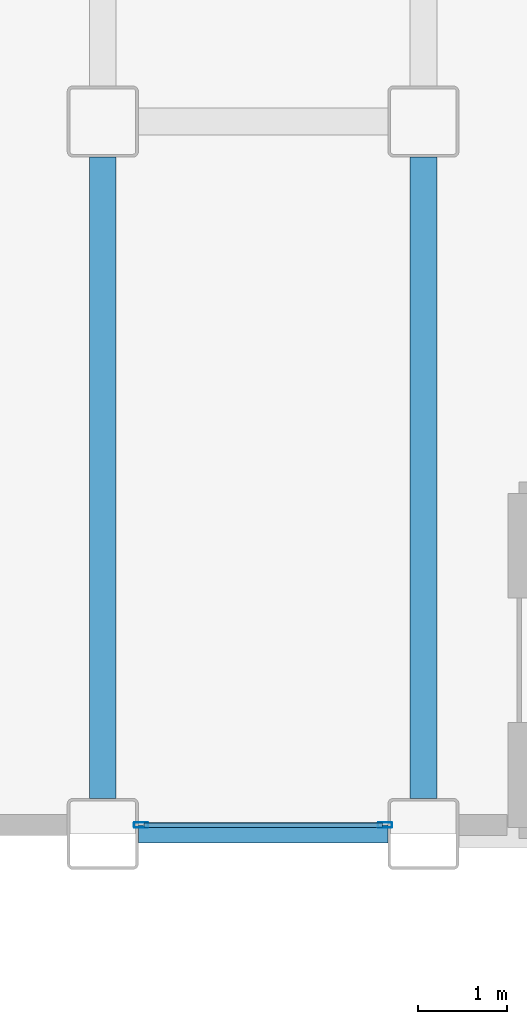
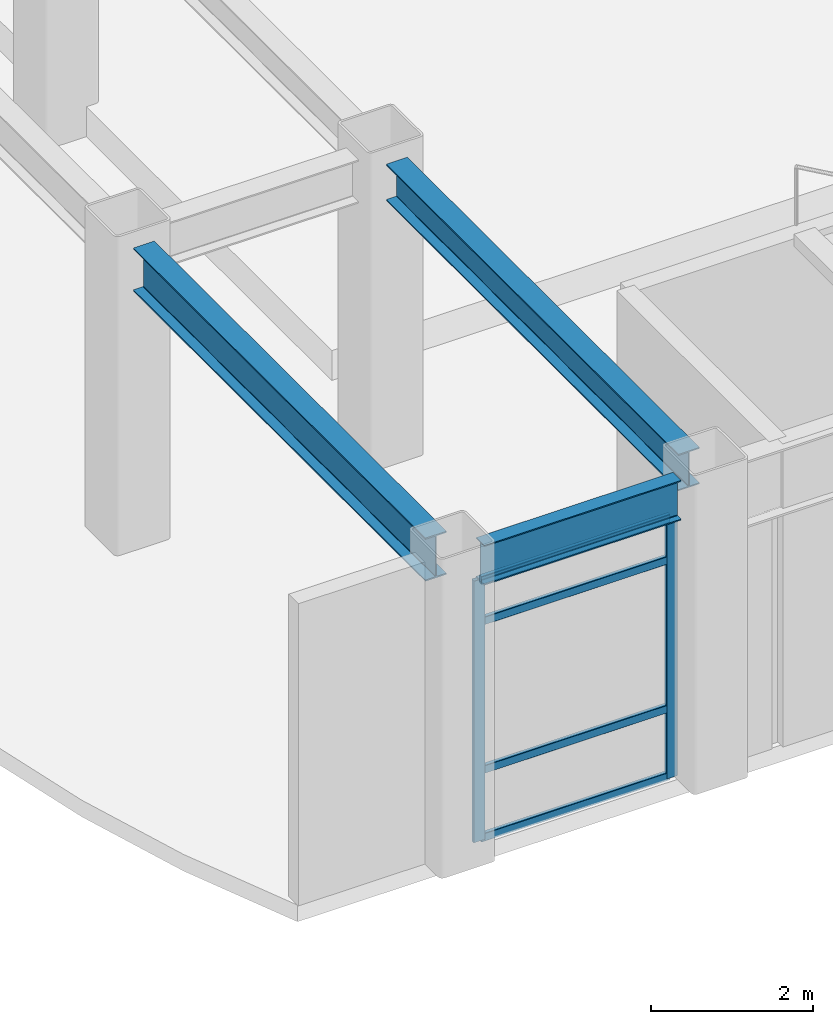
# One storey, part 23 of 154: 6 members, 3 beams, 1 element without a shape of its own.
"""IFC4 building model written with IfcOpenShell, lengths in metres."""

from ifc_helpers import new_model, si_unit, direction, frame, origin, origin_2d, place, context, subcontext, project, spatial, hollow_rectangle, i_section, extrude, material, layer, layer_set, material_profile, profile_set, type_object, element, aggregate, save


model = new_model("IFC4")

# Units and contexts
model_context = context("Model", 3, precision=1e-05, world=origin(), true_north=direction((0.0, 1.0)))
body_context = subcontext(model_context, "Body", "Model", "MODEL_VIEW")
ifc_project = project(units=[si_unit("LENGTHUNIT", "METRE"), si_unit("AREAUNIT", "SQUARE_METRE"), si_unit("VOLUMEUNIT", "CUBIC_METRE"), si_unit("PLANEANGLEUNIT", "RADIAN"), si_unit("MASSUNIT", "GRAM", prefix="KILO")], contexts=[model_context])

# Site, building, storey
site_placement = place(None, origin())
site = spatial("IfcSite", under=ifc_project, at=site_placement, CompositionType="ELEMENT")
building_placement = place(site_placement, origin())
building = spatial("IfcBuilding", under=site, at=building_placement, Name="Kazehara Bluff Congress Hotel", CompositionType="ELEMENT")
storey_placement = place(building_placement, frame((0.0, 0.0, 10.199951171875)))
storey = spatial("IfcBuildingStorey", under=building, at=storey_placement, Name="L02", CompositionType="ELEMENT", Elevation=10.199951171875)

# Curtain wall, members
ifc_material_1 = material(Name="Anodised aluminium", Category="aluminium")
ifc_layer = layer(ifc_material_1, 0.159912109375)
ifc_layer_set = layer_set([ifc_layer], Name="Anodised aluminium")
curtain_wall_type = type_object("IfcCurtainWallType", Name="TP-CW-126", PredefinedType="NOTDEFINED", material=ifc_layer_set)
curtain_wall_placement = place(storey_placement, origin())
curtain_wall = element("IfcCurtainWall", 1, at=curtain_wall_placement, inside=storey, type_object=curtain_wall_type, Name="L02 curtain wall CW-126 CW-ENC-V1-L02-660-4855", PredefinedType="NOTDEFINED")
ifc_material_2 = material(Name="Anodised aluminium", Category="aluminium")
ifc_material_profile_1 = material_profile(ifc_material_2, hollow_rectangle(XDim=0.06005859375, YDim=0.159912109375, WallThickness=0.00390625, InnerFilletRadius=0.00390625, OuterFilletRadius=0.008056640625, at=origin_2d()))
ifc_profile_set_1 = profile_set([ifc_material_profile_1], Name="Anodised aluminium")
member_type_1 = type_object("IfcMemberType", Name="TP-CWM-01", PredefinedType="MULLION", material=ifc_profile_set_1)
member_1_placement = place(storey_placement, frame((7.969970703125, 48.550048828125, 0.0), z_axis=(0.0, 0.0, 1.0), x_axis=(0.0, -1.0, 0.0)))
member_1 = element("IfcMember", 2, at=member_1_placement, type_object=member_type_1, Name="CW-126 mullion 1", PredefinedType="MULLION", context=body_context, shape_type="SweptSolid", body=[
    extrude(hollow_rectangle(XDim=0.06005859375, YDim=0.159912109375, WallThickness=0.00390625, InnerFilletRadius=0.00390625, OuterFilletRadius=0.008056640625, at=origin_2d()), origin(), (0.0, 0.0, 1.0), 3.93505859375),
])
member_2_placement = place(storey_placement, frame((5.22998046875, 48.550048828125, 0.0), z_axis=(0.0, 0.0, 1.0), x_axis=(0.0, -1.0, 0.0)))
member_2 = element("IfcMember", 3, at=member_2_placement, type_object=member_type_1, Name="CW-126 mullion 2", PredefinedType="MULLION", context=body_context, shape_type="SweptSolid", body=[
    extrude(hollow_rectangle(XDim=0.06005859375, YDim=0.159912109375, WallThickness=0.00390625, InnerFilletRadius=0.00390625, OuterFilletRadius=0.008056640625, at=origin_2d()), origin(), (0.0, 0.0, 1.0), 3.93505859375),
])
ifc_material_3 = material(Name="Anodised aluminium", Category="aluminium")
ifc_material_profile_2 = material_profile(ifc_material_3, hollow_rectangle(XDim=0.06005859375, YDim=0.1201171875, WallThickness=0.00390625, InnerFilletRadius=0.00390625, OuterFilletRadius=0.008056640625, at=origin_2d()))
ifc_profile_set_2 = profile_set([ifc_material_profile_2], Name="Anodised aluminium")
member_type_2 = type_object("IfcMemberType", Name="TP-CWT-01", PredefinedType="USERDEFINED", material=ifc_profile_set_2)
member_3_placement = place(storey_placement, frame((7.93994140625, 48.550048828125, 0.030029296875), z_axis=(-1.0, 0.0, 0.0), x_axis=(0.0, -1.0, 0.0)))
member_3 = element("IfcMember", 4, at=member_3_placement, type_object=member_type_2, Name="CW-126 transom 1.1", ObjectType="TRANSOM", PredefinedType="USERDEFINED", context=body_context, shape_type="SweptSolid", body=[
    extrude(hollow_rectangle(XDim=0.06005859375, YDim=0.1201171875, WallThickness=0.00390625, InnerFilletRadius=0.00390625, OuterFilletRadius=0.008056640625, at=origin_2d()), origin(), (0.0, 0.0, 1.0), 2.679931640625),
])
member_4_placement = place(storey_placement, frame((7.93994140625, 48.550048828125, 1.050048828125), z_axis=(-1.0, 0.0, 0.0), x_axis=(0.0, -1.0, 0.0)))
member_4 = element("IfcMember", 5, at=member_4_placement, type_object=member_type_2, Name="CW-126 transom 1.2", ObjectType="TRANSOM", PredefinedType="USERDEFINED", context=body_context, shape_type="SweptSolid", body=[
    extrude(hollow_rectangle(XDim=0.06005859375, YDim=0.1201171875, WallThickness=0.00390625, InnerFilletRadius=0.00390625, OuterFilletRadius=0.008056640625, at=origin_2d()), origin(), (0.0, 0.0, 1.0), 2.679931640625),
])
member_5_placement = place(storey_placement, frame((7.93994140625, 48.550048828125, 3.28515625), z_axis=(-1.0, 0.0, 0.0), x_axis=(0.0, -1.0, 0.0)))
member_5 = element("IfcMember", 6, at=member_5_placement, type_object=member_type_2, Name="CW-126 transom 1.3", ObjectType="TRANSOM", PredefinedType="USERDEFINED", context=body_context, shape_type="SweptSolid", body=[
    extrude(hollow_rectangle(XDim=0.06005859375, YDim=0.1201171875, WallThickness=0.00390625, InnerFilletRadius=0.00390625, OuterFilletRadius=0.008056640625, at=origin_2d()), origin(), (0.0, 0.0, 1.0), 2.679931640625),
])
member_6_placement = place(storey_placement, frame((7.93994140625, 48.550048828125, 3.905029296875), z_axis=(-1.0, 0.0, 0.0), x_axis=(0.0, -1.0, 0.0)))
member_6 = element("IfcMember", 7, at=member_6_placement, type_object=member_type_2, Name="CW-126 transom 1.4", ObjectType="TRANSOM", PredefinedType="USERDEFINED", context=body_context, shape_type="SweptSolid", body=[
    extrude(hollow_rectangle(XDim=0.06005859375, YDim=0.1201171875, WallThickness=0.00390625, InnerFilletRadius=0.00390625, OuterFilletRadius=0.008056640625, at=origin_2d()), origin(), (0.0, 0.0, 1.0), 2.679931640625),
])
aggregate(curtain_wall, [member_1, member_2, member_3, member_4, member_5, member_6])

# Beams
ifc_material_4 = material(Name="Steel SN490B", Category="steel")
ifc_material_profile_3 = material_profile(ifc_material_4, i_section(OverallWidth=0.300048828125, OverallDepth=0.64990234375, WebThickness=0.011962890625, FlangeThickness=0.02001953125, FilletRadius=0.012939453125, at=origin_2d()))
ifc_profile_set_3 = profile_set([ifc_material_profile_3], Name="Steel SN490B")
beam_type_1 = type_object("IfcBeamType", Name="TP-G-03", PredefinedType="BEAM", material=ifc_profile_set_3)
beam_1_placement = place(storey_placement, frame((4.800048828125, 48.85009765625, 4.235107421875), z_axis=(0.0, 1.0, 0.0), x_axis=(-1.0, 0.0, 0.0)))
element("IfcBeam", 8, at=beam_1_placement, inside=storey, type_object=beam_type_1, Name="L02 girder G-03 1", PredefinedType="BEAM", context=body_context, shape_type="SweptSolid", body=[
    extrude(i_section(OverallWidth=0.300048828125, OverallDepth=0.64990234375, WebThickness=0.011962890625, FlangeThickness=0.02001953125, FilletRadius=0.012939453125, at=origin_2d()), origin(), (0.0, 0.0, 1.0), 7.199951171875),
])
ifc_material_5 = material(Name="Steel SN490B", Category="steel")
ifc_material_profile_4 = material_profile(ifc_material_5, i_section(OverallWidth=0.300048828125, OverallDepth=0.550048828125, WebThickness=0.010986328125, FlangeThickness=0.01806640625, FilletRadius=0.012939453125, at=origin_2d()))
ifc_profile_set_4 = profile_set([ifc_material_profile_4], Name="Steel SN490B")
beam_type_2 = type_object("IfcBeamType", Name="TP-SP-01", PredefinedType="SPANDREL", material=ifc_profile_set_4)
beam_2_placement = place(storey_placement, frame((8.39990234375, 48.85009765625, 4.28515625), z_axis=(0.0, 1.0, 0.0), x_axis=(-1.0, 0.0, 0.0)))
element("IfcBeam", 9, at=beam_2_placement, inside=storey, type_object=beam_type_2, Name="L02 girder SP-01 9", PredefinedType="SPANDREL", context=body_context, shape_type="SweptSolid", body=[
    extrude(i_section(OverallWidth=0.300048828125, OverallDepth=0.550048828125, WebThickness=0.010986328125, FlangeThickness=0.01806640625, FilletRadius=0.012939453125, at=origin_2d()), origin(), (0.0, 0.0, 1.0), 7.199951171875),
])
ifc_material_6 = material(Name="Steel SN490B", Category="steel")
ifc_material_profile_5 = material_profile(ifc_material_6, i_section(OverallWidth=0.199951171875, OverallDepth=0.60009765625, WebThickness=0.010986328125, FlangeThickness=0.01708984375, FilletRadius=0.012939453125, at=origin_2d()))
ifc_profile_set_5 = profile_set([ifc_material_profile_5], Name="Steel SN490B")
beam_type_3 = type_object("IfcBeamType", Name="TP-SP-02", PredefinedType="SPANDREL", material=ifc_profile_set_5)
beam_3_placement = place(storey_placement, frame((5.199951171875, 48.449951171875, 4.260009765625), z_axis=(1.0, 0.0, 0.0), x_axis=(0.0, 1.0, 0.0)))
element("IfcBeam", 10, at=beam_3_placement, inside=storey, type_object=beam_type_3, Name="L02 girder SP-02 25", PredefinedType="SPANDREL", context=body_context, shape_type="SweptSolid", body=[
    extrude(i_section(OverallWidth=0.199951171875, OverallDepth=0.60009765625, WebThickness=0.010986328125, FlangeThickness=0.01708984375, FilletRadius=0.012939453125, at=origin_2d()), origin(), (0.0, 0.0, 1.0), 2.800048828125),
])

save(model, "model.ifc")
